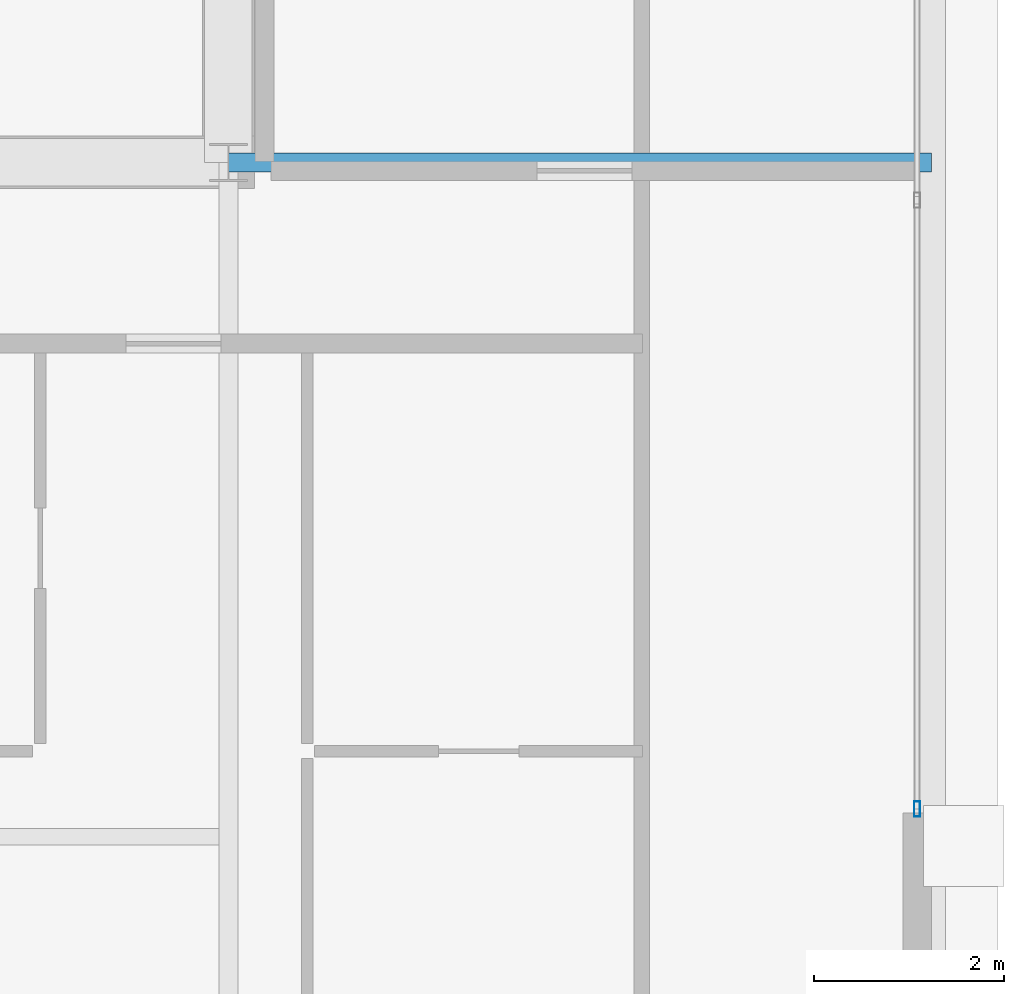
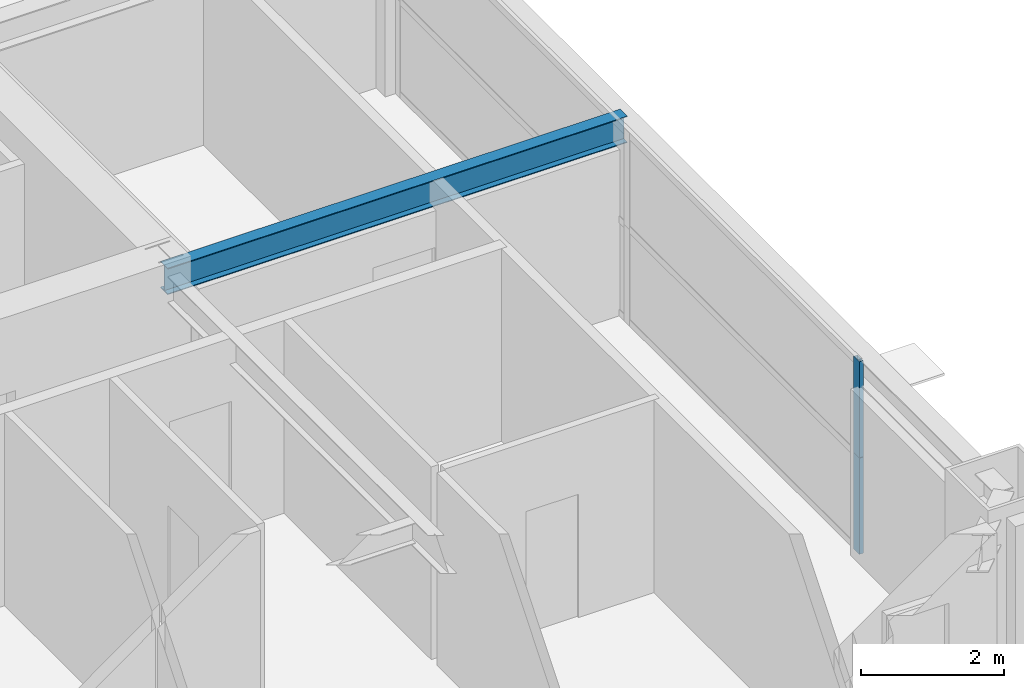
# One storey, part 17 of 37: 2 members, 1 beam, 1 element without a shape of its own.
"""IFC4 building model written with IfcOpenShell, lengths in metres."""

from ifc_helpers import new_model, si_unit, direction, frame, origin, origin_2d, place, context, subcontext, project, spatial, hollow_rectangle, i_section, extrude, source, transform, mapped, material, layer, layer_set, material_profile, profile_set, type_object, element, aggregate, save


model = new_model("IFC4")

# Units and contexts
model_context = context("Model", 3, precision=1e-05, world=origin(), true_north=direction((0.0, 1.0)))
body_context = subcontext(model_context, "Body", "Model", "MODEL_VIEW")
ifc_project = project(units=[si_unit("LENGTHUNIT", "METRE"), si_unit("AREAUNIT", "SQUARE_METRE"), si_unit("VOLUMEUNIT", "CUBIC_METRE"), si_unit("PLANEANGLEUNIT", "RADIAN"), si_unit("MASSUNIT", "GRAM", prefix="KILO"), si_unit("THERMODYNAMICTEMPERATUREUNIT", "KELVIN"), si_unit("POWERUNIT", "WATT")], contexts=[model_context])

# Site, building, storey
site_placement = place(None, origin())
site = spatial("IfcSite", under=ifc_project, at=site_placement, CompositionType="ELEMENT")
building_placement = place(site_placement, origin())
building = spatial("IfcBuilding", under=site, at=building_placement, Name="Yuzanri Waterfront Tower", CompositionType="ELEMENT")
storey_placement = place(building_placement, frame((0.0, 0.0, 245.10009765625)))
storey = spatial("IfcBuildingStorey", under=building, at=storey_placement, Name="L65", CompositionType="ELEMENT", Elevation=245.10009765625)

# Beam
ifc_material_1 = material(Name="Steel Q355B", Category="steel")
ifc_material_profile_1 = material_profile(ifc_material_1, i_section(OverallWidth=0.199951171875, OverallDepth=0.449951171875, WebThickness=0.009033203125, FlangeThickness=0.013916015625, at=origin_2d()), Name="HN 450x200x9x14")
ifc_profile_set_1 = profile_set([ifc_material_profile_1], Name="Steel Q355B")
beam_type = type_object("IfcBeamType", Name="Secondary Floor Beam Q355B HN 450x200", PredefinedType="BEAM", material=ifc_profile_set_1)
shared_shape_1 = source(origin(), body_context, "Body", "SweptSolid", [
    extrude(i_section(OverallWidth=0.199951171875, OverallDepth=0.449951171875, WebThickness=0.009033203125, FlangeThickness=0.013916015625, at=origin_2d()), origin(), (0.0, 0.0, 1.0), 7.400146484375),
])
beam_placement = place(storey_placement, frame((50.199951171875, 19.39990234375, 3.054931640625), z_axis=(1.0, 0.0, 0.0), x_axis=(0.0, 1.0, 0.0)))
element("IfcBeam", 1, at=beam_placement, inside=storey, type_object=beam_type, Name="L65 East-South Core Line Beam", PredefinedType="BEAM", context=body_context, shape_type="MappedRepresentation", body=[
    mapped(shared_shape_1, transform((0.0, 0.0, 0.0), scale=1.0)),
])

# Curtain wall, members
ifc_material_2 = material(Name="Anodized Architectural Bronze", Category="metal")
ifc_layer = layer(ifc_material_2, 0.159912109375)
ifc_layer_set = layer_set([ifc_layer], Name="Anodized Architectural Bronze")
curtain_wall_type = type_object("IfcCurtainWallType", Name="Anodized Bronze Mid-Rise Residential Acoustic Unitized Curtain Wall 7200", PredefinedType="NOTDEFINED", material=ifc_layer_set)
curtain_wall_placement = place(storey_placement, origin())
curtain_wall = element("IfcCurtainWall", 2, at=curtain_wall_placement, inside=storey, type_object=curtain_wall_type, Name="L65 Curtain Wall CW-L65-EL", PredefinedType="NOTDEFINED")
ifc_material_3 = material(Name="Anodized Architectural Bronze", Category="metal")
ifc_material_profile_2 = material_profile(ifc_material_3, hollow_rectangle(XDim=0.06494140625, YDim=0.159912109375, WallThickness=0.00341796875, at=origin_2d()), Name="CWM 65x160")
ifc_profile_set_2 = profile_set([ifc_material_profile_2], Name="Anodized Architectural Bronze")
member_type = type_object("IfcMemberType", Name="Anodized Bronze Upper-Zone Curtain-Wall Mullion 65x160", PredefinedType="MULLION", material=ifc_profile_set_2)
shared_shape_2 = source(origin(), body_context, "Body", "SweptSolid", [
    extrude(hollow_rectangle(XDim=0.06494140625, YDim=0.159912109375, WallThickness=0.00341796875, at=origin_2d()), origin(), (0.0, 0.0, 1.0), 1.637939453125),
])
member_1_placement = place(storey_placement, frame((57.449951171875, 12.590087890625, 0.0), z_axis=(0.0, 0.0, 1.0), x_axis=(1.0, 0.0, 0.0)))
member_1 = element("IfcMember", 3, at=member_1_placement, type_object=member_type, Name="CW-L65-EL Lower Mullion 00", PredefinedType="MULLION", context=body_context, shape_type="MappedRepresentation", body=[
    mapped(shared_shape_2, transform((0.0, 0.0, 0.0), scale=1.0)),
])
member_2_placement = place(storey_placement, frame((57.449951171875, 12.590087890625, 1.641845703125), z_axis=(0.0, 0.0, 1.0), x_axis=(1.0, 0.0, 0.0)))
member_2 = element("IfcMember", 4, at=member_2_placement, type_object=member_type, Name="CW-L65-EL Upper Mullion 00", PredefinedType="MULLION", context=body_context, shape_type="MappedRepresentation", body=[
    mapped(shared_shape_2, transform((0.0, 0.0, 0.0), scale=1.0)),
])
aggregate(curtain_wall, [member_1, member_2])

save(model, "model.ifc")
